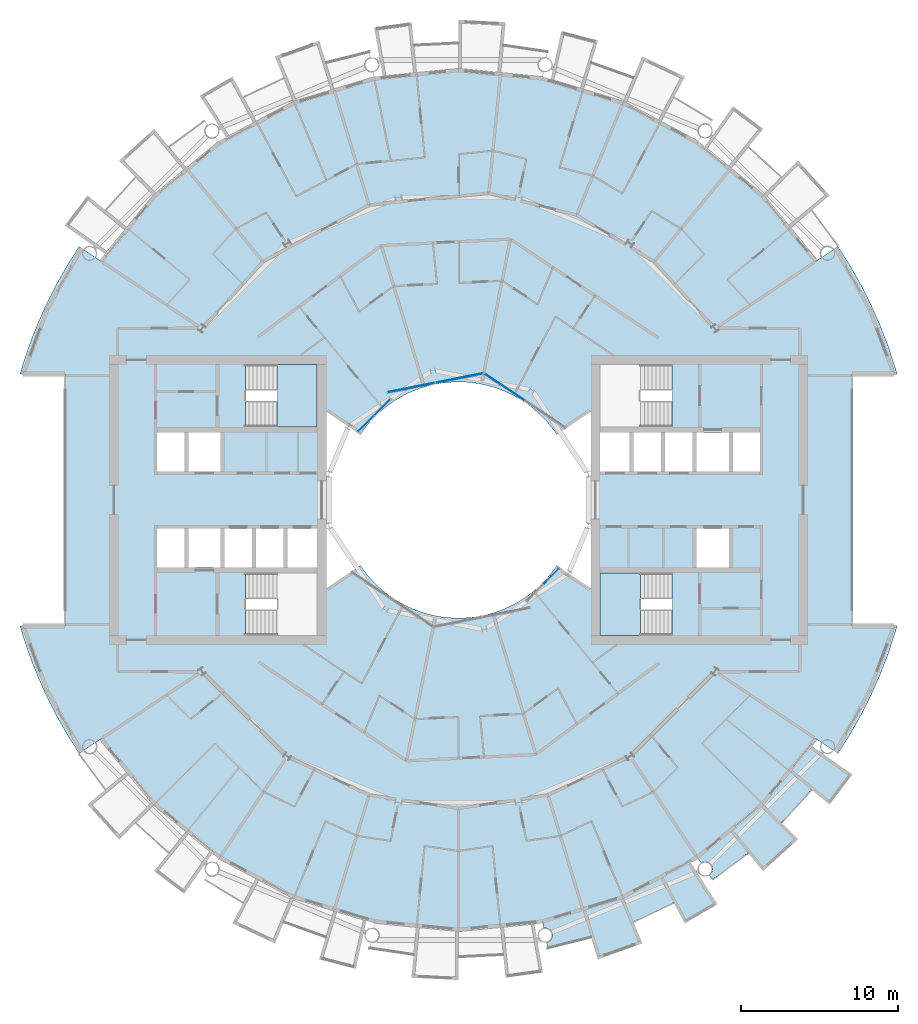
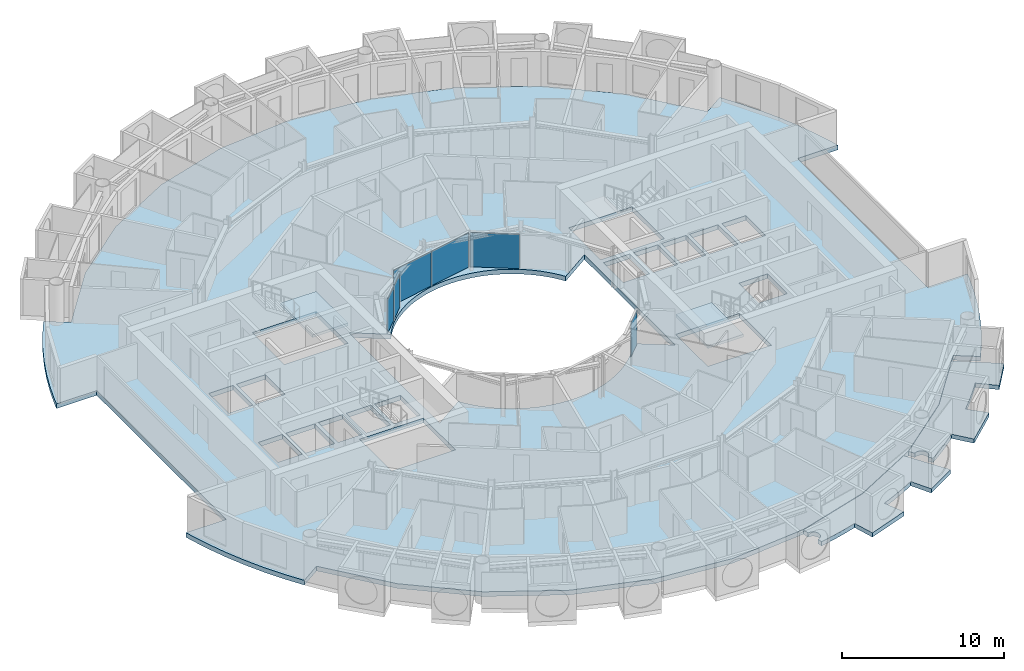
# One storey, part 11 of 26: 6 plates, 5 slabs, 6 elements without a shape of their own.
"""IFC4 building model written with IfcOpenShell, lengths in metres."""

import ifcopenshell
import ifcopenshell.guid

model = None  # the IFC model being written
_history = None  # IfcOwnerHistory: only IFC2X3 demands one
_inside = {}  # id of a spatial element -> (the spatial element, [elements in it])
_under = {}  # id of a project, library or spatial element -> (it, [spatial elements below it])
_declared = {}  # id of a project -> (the project, [libraries it declares])
_typed = {}  # id of a type object -> (the type object, [elements of that type])
_made_of = {}  # id of a material, layer set ... -> (it, [elements and type objects made of it])


def new_model(schema):
    """Start an empty IFC model of exactly this schema.

    Asked for "IFC4X3", IfcOpenShell would pick the latest addendum, in which some entities
    have other attributes; the version numbers below select the first issue.
    IFC2X3 requires an IfcOwnerHistory on every rooted entity: one is made here for all.
    """
    global model, _history
    if schema == "IFC4X3":
        model = ifcopenshell.file(schema_version=(4, 3, 0, 0))
    else:
        model = ifcopenshell.file(schema=schema)
    _inside.clear()
    _under.clear()
    _declared.clear()
    _typed.clear()
    _made_of.clear()
    _history = None
    if model.schema == "IFC2X3":
        org = make("IfcOrganization", Name="unknown")
        user = make(
            "IfcPersonAndOrganization",
            ThePerson=make("IfcPerson", FamilyName="unknown"),
            TheOrganization=org,
        )
        app = make(
            "IfcApplication",
            ApplicationDeveloper=org,
            Version="unknown",
            ApplicationFullName="unknown",
            ApplicationIdentifier="unknown",
        )
        _history = make(
            "IfcOwnerHistory",
            OwningUser=user,
            OwningApplication=app,
            ChangeAction="ADDED",
            CreationDate=0,
        )
    return model


def make(cls, **values):
    """One entity of the class cls with the attributes given. An attribute that is None is left unset."""
    return model.create_entity(
        cls, **{name: value for name, value in values.items() if value is not None}
    )


def rooted(cls, **values):
    """An entity with a GlobalId (a new one), such as an element, a storey or a relation."""
    return make(cls, GlobalId=ifcopenshell.guid.new(), OwnerHistory=_history, **values)


def si_unit(unit_type, name, prefix=None):
    """IfcSIUnit, for example si_unit("LENGTHUNIT", "METRE", prefix="MILLI")."""
    return make("IfcSIUnit", UnitType=unit_type, Prefix=prefix, Name=name)


def assignment(units):
    """IfcUnitAssignment: the units of a project."""
    return None if units is None else make("IfcUnitAssignment", Units=units)


def point(xyz):
    """IfcCartesianPoint."""
    return None if xyz is None else make("IfcCartesianPoint", Coordinates=xyz)


def direction(xyz):
    """IfcDirection."""
    return None if xyz is None else make("IfcDirection", DirectionRatios=xyz)


def frame(location, z_axis=None, x_axis=None):
    """IfcAxis2Placement3D, a coordinate frame: its origin and axes. An axis left out is left unset."""
    return make(
        "IfcAxis2Placement3D",
        Location=point(location),
        Axis=direction(z_axis),
        RefDirection=direction(x_axis),
    )


def frame_2d(location, x_axis=None):
    """IfcAxis2Placement2D, a coordinate frame in the plane: its origin and x axis."""
    return make(
        "IfcAxis2Placement2D", Location=point(location), RefDirection=direction(x_axis)
    )


def origin():
    """The frame at (0, 0, 0) with its axes left unset."""
    return frame((0.0, 0.0, 0.0))


def origin_2d():
    """The frame at (0, 0) in the plane with its x axis left unset."""
    return frame_2d((0.0, 0.0))


def place(relative_to, where):
    """IfcLocalPlacement: puts the frame where relative to a parent placement (None: the world)."""
    return make(
        "IfcLocalPlacement", PlacementRelTo=relative_to, RelativePlacement=where
    )


def context(
    kind, dimensions, precision=None, world=None, true_north=None, identifier=None
):
    """IfcGeometricRepresentationContext, for example the 3D "Model" context."""
    return make(
        "IfcGeometricRepresentationContext",
        ContextIdentifier=identifier,
        ContextType=kind,
        CoordinateSpaceDimension=dimensions,
        Precision=precision,
        WorldCoordinateSystem=world,
        TrueNorth=true_north,
    )


def subcontext(parent, identifier, kind, view, scale=None):
    """IfcGeometricRepresentationSubContext, for example "Body" below "Model"."""
    return make(
        "IfcGeometricRepresentationSubContext",
        ContextIdentifier=identifier,
        ContextType=kind,
        ParentContext=parent,
        TargetScale=scale,
        TargetView=view,
    )


def project(units=None, contexts=None):
    """IfcProject with its units and contexts."""
    return rooted(
        "IfcProject",
        Name="project",
        RepresentationContexts=contexts,
        UnitsInContext=assignment(units),
    )


def spatial(cls, under=None, at=None, **own):
    """A site, building, storey or space (cls), placed at a placement, below another one or the project."""
    s = rooted(cls, ObjectPlacement=at, **own)
    if under is not None:
        _under.setdefault(under.id(), (under, []))[1].append(s)
    return s


def polyline(points):
    """IfcPolyline through the points."""
    return make("IfcPolyline", Points=[point(p) for p in points])


def profile(cls, at=None, kind="AREA", **sizes):
    """A parametric profile (cls). Its sizes go by their IFC names, for example OverallWidth=200.0."""
    return make(cls, ProfileType=kind, Position=at, **sizes)


def rectangle(**sizes):
    """IfcRectangleProfileDef."""
    return profile("IfcRectangleProfileDef", **sizes)


def outline(outer, holes=None, kind="AREA"):
    """IfcArbitraryClosedProfileDef: a profile drawn as a closed curve; with holes, ...WithVoids."""
    if holes is None:
        return make("IfcArbitraryClosedProfileDef", ProfileType=kind, OuterCurve=outer)
    return make(
        "IfcArbitraryProfileDefWithVoids",
        ProfileType=kind,
        OuterCurve=outer,
        InnerCurves=holes,
    )


def extrude(swept, where, along, depth):
    """IfcExtrudedAreaSolid: the profile swept, set in the frame where, extruded along a direction by depth."""
    return make(
        "IfcExtrudedAreaSolid",
        SweptArea=swept,
        Position=where,
        ExtrudedDirection=direction(along),
        Depth=depth,
    )


def shape(context_of_items, identifier, shape_type, items):
    """IfcShapeRepresentation: the items that make up one representation, for example the "Body"."""
    return make(
        "IfcShapeRepresentation",
        ContextOfItems=context_of_items,
        RepresentationIdentifier=identifier,
        RepresentationType=shape_type,
        Items=items,
    )


def material(Name=None, Category=None):
    """IfcMaterial."""
    return make("IfcMaterial", Name=Name, Category=Category)


def layer(
    of_material, thickness, ventilated=None, Name=None, Category=None, Priority=None
):
    """IfcMaterialLayer: one layer of a wall or slab, of a material (None: an air gap)."""
    return make(
        "IfcMaterialLayer",
        Material=of_material,
        LayerThickness=thickness,
        IsVentilated=ventilated,
        Name=Name,
        Category=Category,
        Priority=Priority,
    )


def layer_set(layers, Name=None):
    """IfcMaterialLayerSet."""
    return make("IfcMaterialLayerSet", MaterialLayers=layers, LayerSetName=Name)


def made_of(thing, what):
    """Note that an element or type object is made of a material, layer set ...; save() writes the relation."""
    if what is not None:
        _made_of.setdefault(what.id(), (what, []))[1].append(thing)
    return thing


def type_object(cls, material=None, **own):
    """A type object (cls), such as IfcWallType, which elements share."""
    return made_of(rooted(cls, **own), material)


def element(
    cls,
    number,
    at=None,
    inside=None,
    cuts=None,
    type_object=None,
    material=None,
    context=None,
    identifier="Body",
    shape_type=None,
    held_by="IfcProductDefinitionShape",
    body=None,
    shapes=None,
    **own,
):
    """One element of the class cls, such as IfcWall. Its Tag is "e" and its number.

    at: its placement. inside: the storey or other place that contains it. cuts: it is an
    opening in that element (IfcRelVoidsElement). A single representation is given by context,
    identifier, shape_type and body (its items); several are given by shapes. held_by: the class
    of the entity that holds the representations. save() writes the other relations.
    """
    e = rooted(cls, Tag="e%d" % number, ObjectPlacement=at, **own)
    if body is not None:
        shapes = [shape(context, identifier, shape_type, body)]
    if shapes is not None:
        e.Representation = make(held_by, Representations=shapes)
    if inside is not None:
        _inside.setdefault(inside.id(), (inside, []))[1].append(e)
    if cuts is not None:
        rooted(
            "IfcRelVoidsElement", RelatingBuildingElement=cuts, RelatedOpeningElement=e
        )
    if type_object is not None:
        _typed.setdefault(type_object.id(), (type_object, []))[1].append(e)
    return made_of(e, material)


def aggregate(whole, parts):
    """IfcRelAggregates: a whole, such as a stair, and the parts it consists of."""
    return rooted("IfcRelAggregates", RelatingObject=whole, RelatedObjects=parts)


def save(model, path):
    """Write the relations noted so far, then the file.

    IfcRelAggregates (storeys below a building ...), IfcRelContainedInSpatialStructure (elements
    in a storey), IfcRelDefinesByType, IfcRelAssociatesMaterial and IfcRelDeclares: one each for
    every whole, place, type object, material and project.
    """
    for whole, parts in _under.values():
        aggregate(whole, parts)
    for where, things in _inside.values():
        rooted(
            "IfcRelContainedInSpatialStructure",
            RelatedElements=things,
            RelatingStructure=where,
        )
    for kind, things in _typed.values():
        rooted("IfcRelDefinesByType", RelatedObjects=things, RelatingType=kind)
    for what, things in _made_of.values():
        rooted("IfcRelAssociatesMaterial", RelatedObjects=things, RelatingMaterial=what)
    for by, libraries in _declared.values():
        rooted("IfcRelDeclares", RelatingContext=by, RelatedDefinitions=libraries)
    model.write(path)


model = new_model("IFC4")

# Units and contexts
model_context = context("Model", 3, precision=1e-05, world=origin(), true_north=direction((0.0, 1.0)))
body_context = subcontext(model_context, "Body", "Model", "MODEL_VIEW")
ifc_project = project(units=[si_unit("LENGTHUNIT", "METRE"), si_unit("AREAUNIT", "SQUARE_METRE"), si_unit("VOLUMEUNIT", "CUBIC_METRE"), si_unit("PLANEANGLEUNIT", "RADIAN"), si_unit("MASSUNIT", "GRAM", prefix="KILO")], contexts=[model_context])

# Site, building, storey
site_placement = place(None, origin())
site = spatial("IfcSite", under=ifc_project, at=site_placement, CompositionType="ELEMENT")
building_placement = place(site_placement, origin())
building = spatial("IfcBuilding", under=site, at=building_placement, Name="Maasbend Ring Residences", CompositionType="ELEMENT")
storey_placement = place(building_placement, frame((0.0, 0.0, 123.85009765625)))
storey = spatial("IfcBuildingStorey", under=building, at=storey_placement, Name="L35", CompositionType="ELEMENT", Elevation=123.85009765625)

# Stair, slab
ifc_material_1 = material(Name="Concrete C40/50", Category="concrete")
stair_type = type_object("IfcStairType", Name="CORE STAIR 18 RISERS", PredefinedType="HALF_TURN_STAIR", material=ifc_material_1)
stair_1_placement = place(storey_placement, origin())
stair_1 = element("IfcStair", 1, at=stair_1_placement, inside=storey, type_object=stair_type, Name="L35 Exit stair ST-E2", PredefinedType="HALF_TURN_STAIR")
ifc_material_2 = material(Name="Concrete C40/50", Category="concrete")
ifc_layer_1 = layer(ifc_material_2, 0.199951171875)
ifc_layer_set_1 = layer_set([ifc_layer_1], Name="Concrete C40/50")
slab_type_1 = type_object("IfcSlabType", Name="CORE STAIR LANDING 200", PredefinedType="LANDING", material=ifc_layer_set_1)
slab_1_placement = place(storey_placement, frame((0.0, 0.0, 1.324951171875)))
slab_1 = element("IfcSlab", 2, at=slab_1_placement, type_object=slab_type_1, Name="ST-E2 landing 1", PredefinedType="LANDING", context=body_context, shape_type="SweptSolid", body=[
    extrude(outline(polyline([(11.550048828125, -4.64990234375), (9.0, -4.64990234375), (9.0, -8.60009765625), (11.550048828125, -8.60009765625), (11.550048828125, -4.64990234375)])), origin(), (0.0, 0.0, 1.0), 0.199951171875),
])
aggregate(stair_1, [slab_1])

stair_2_placement = place(storey_placement, origin())
stair_2 = element("IfcStair", 3, at=stair_2_placement, inside=storey, type_object=stair_type, Name="L35 Exit stair ST-W2", PredefinedType="HALF_TURN_STAIR")
slab_2_placement = place(storey_placement, frame((0.0, 0.0, 1.324951171875)))
slab_2 = element("IfcSlab", 4, at=slab_2_placement, type_object=slab_type_1, Name="ST-W2 landing 1", PredefinedType="LANDING", context=body_context, shape_type="SweptSolid", body=[
    extrude(outline(polyline([(-11.550048828125, 4.64990234375), (-9.0, 4.64990234375), (-9.0, 8.60009765625), (-11.550048828125, 8.60009765625), (-11.550048828125, 4.64990234375)])), origin(), (0.0, 0.0, 1.0), 0.199951171875),
])
aggregate(stair_2, [slab_2])

# Curtain wall, plate
ifc_material_3 = material(Name="Aluminium and clear glass", Category="aluminium")
ifc_layer_2 = layer(ifc_material_3, 0.179931640625)
ifc_layer_set_2 = layer_set([ifc_layer_2], Name="CW-W")
curtain_wall_type = type_object("IfcCurtainWallType", Name="CW-W", PredefinedType="NOTDEFINED", material=ifc_layer_set_2)
curtain_wall_1_placement = place(storey_placement, origin())
curtain_wall_1 = element("IfcCurtainWall", 5, at=curtain_wall_1_placement, inside=storey, type_object=curtain_wall_type, Name="Well curtain wall N1", PredefinedType="NOTDEFINED")
ifc_material_4 = material(Name="Glass clear laminated", Category="glass")
ifc_layer_3 = layer(ifc_material_4, 0.031982421875)
ifc_layer_set_3 = layer_set([ifc_layer_3], Name="CWP-W")
plate_type = type_object("IfcPlateType", Name="CWP-W", PredefinedType="CURTAIN_PANEL", material=ifc_layer_set_3)
plate_1_placement = place(storey_placement, frame((2.922119140625, 7.17578125, -0.000244140625), z_axis=(0.0, 0.0, 1.0), x_axis=(-0.831469612303, 0.55557023302, 0.0)))
plate_1 = element("IfcPlate", 6, at=plate_1_placement, type_object=plate_type, Name="Glass panel well face", PredefinedType="CURTAIN_PANEL", context=body_context, shape_type="SweptSolid", body=[
    extrude(rectangle(XDim=3.053955078125, YDim=0.031982421875, at=origin_2d()), origin(), (0.0, 0.0, 1.0), 2.580078125),
])
aggregate(curtain_wall_1, [plate_1])

# Curtain wall, plates
curtain_wall_2_placement = place(storey_placement, origin())
curtain_wall_2 = element("IfcCurtainWall", 7, at=curtain_wall_2_placement, inside=storey, type_object=curtain_wall_type, Name="Well curtain wall N2", PredefinedType="NOTDEFINED")
plate_2_placement = place(storey_placement, frame((0.04638671875, 7.747802734375, -0.000244140625), z_axis=(0.0, 0.0, 1.0), x_axis=(-0.980785280403, -0.195090322016, 0.0)))
plate_2 = element("IfcPlate", 8, at=plate_2_placement, type_object=plate_type, Name="Glass panel well face", PredefinedType="CURTAIN_PANEL", context=body_context, shape_type="SweptSolid", body=[
    extrude(rectangle(XDim=3.053955078125, YDim=0.031982421875, at=origin_2d()), origin(), (0.0, 0.0, 1.0), 2.580078125),
])
plate_3_placement = place(storey_placement, frame((-3.0078125, 7.140380859375, -0.000244140625), z_axis=(0.0, 0.0, 1.0), x_axis=(-0.980785280403, -0.195090322016, 0.0)))
plate_3 = element("IfcPlate", 9, at=plate_3_placement, type_object=plate_type, Name="Glass panel well face", PredefinedType="CURTAIN_PANEL", context=body_context, shape_type="SweptSolid", body=[
    extrude(rectangle(XDim=3.053955078125, YDim=0.031982421875, at=origin_2d()), origin(), (0.0, 0.0, 1.0), 2.580078125),
])
aggregate(curtain_wall_2, [plate_2, plate_3])

curtain_wall_3_placement = place(storey_placement, origin())
curtain_wall_3 = element("IfcCurtainWall", 10, at=curtain_wall_3_placement, inside=storey, type_object=curtain_wall_type, Name="Well curtain wall N3", PredefinedType="NOTDEFINED")
plate_4_placement = place(storey_placement, frame((-4.84375, 5.89013671875, -0.000244140625), z_axis=(0.0, 0.0, 1.0), x_axis=(-0.707106781187, -0.707106781187, 0.0)))
plate_4 = element("IfcPlate", 11, at=plate_4_placement, type_object=plate_type, Name="Glass panel well face", PredefinedType="CURTAIN_PANEL", context=body_context, shape_type="SweptSolid", body=[
    extrude(rectangle(XDim=1.419677734375, YDim=0.031982421875, at=origin_2d()), origin(), (0.0, 0.0, 1.0), 2.580078125),
])
plate_5_placement = place(storey_placement, frame((-5.89013671875, 4.84375, -0.000244140625), z_axis=(0.0, 0.0, 1.0), x_axis=(-0.707106781187, -0.707106781187, 0.0)))
plate_5 = element("IfcPlate", 12, at=plate_5_placement, type_object=plate_type, Name="Glass panel well face", PredefinedType="CURTAIN_PANEL", context=body_context, shape_type="SweptSolid", body=[
    extrude(rectangle(XDim=1.419677734375, YDim=0.031982421875, at=origin_2d()), origin(), (0.0, 0.0, 1.0), 2.580078125),
])
aggregate(curtain_wall_3, [plate_4, plate_5])

# Curtain wall, plate
curtain_wall_4_placement = place(storey_placement, origin())
curtain_wall_4 = element("IfcCurtainWall", 13, at=curtain_wall_4_placement, inside=storey, type_object=curtain_wall_type, Name="Well curtain wall S3", PredefinedType="NOTDEFINED")
plate_6_placement = place(storey_placement, frame((5.89013671875, -4.84375, -0.000244140625), z_axis=(0.0, 0.0, 1.0), x_axis=(0.707106781187, 0.707106781187, 0.0)))
plate_6 = element("IfcPlate", 14, at=plate_6_placement, type_object=plate_type, Name="Glass panel well face", PredefinedType="CURTAIN_PANEL", context=body_context, shape_type="SweptSolid", body=[
    extrude(rectangle(XDim=1.419677734375, YDim=0.031982421875, at=origin_2d()), origin(), (0.0, 0.0, 1.0), 2.580078125),
])
aggregate(curtain_wall_4, [plate_6])

# Slabs
ifc_material_5 = material(Name="Concrete C40/50", Category="concrete")
ifc_layer_4 = layer(ifc_material_5, 0.35009765625)
ifc_layer_set_4 = layer_set([ifc_layer_4], Name="Concrete C40/50")
slab_type_2 = type_object("IfcSlabType", Name="Post-tensioned flat plate 350", PredefinedType="FLOOR", material=ifc_layer_set_4)
slab_3_placement = place(storey_placement, frame((0.0, 0.0, -0.35009765625)))
element("IfcSlab", 15, at=slab_3_placement, inside=storey, type_object=slab_type_2, Name="Floor slab L35", PredefinedType="FLOOR", context=body_context, shape_type="SweptSolid", body=[
    extrude(outline(polyline([(24.8740234375, -14.908935546875), (25.57568359375, -13.67041015625), (26.2158203125, -12.399169921875), (26.79248046875, -11.097900390625), (27.3046875, -9.769775390625), (27.751220703125, -8.418212890625), (27.866943359375, -8.0), (25.0, -8.0), (25.0, 8.0), (27.866943359375, 8.0), (27.751220703125, 8.418212890625), (27.3046875, 9.769775390625), (26.79248046875, 11.097900390625), (26.2158203125, 12.399169921875), (25.57568359375, 13.67041015625), (24.8740234375, 14.908935546875), (24.112548828125, 16.111572265625), (22.69921875, 15.1669921875), (19.303955078125, 19.303955078125), (15.1669921875, 22.69921875), (10.447265625, 25.221923828125), (5.325927734375, 26.775390625), (0.0, 27.300048828125), (-5.325927734375, 26.775390625), (-10.447265625, 25.221923828125), (-15.1669921875, 22.69921875), (-19.303955078125, 19.303955078125), (-22.69921875, 15.1669921875), (-24.112548828125, 16.111572265625), (-24.8740234375, 14.908935546875), (-25.57568359375, 13.67041015625), (-26.2158203125, 12.399169921875), (-26.79248046875, 11.097900390625), (-27.3046875, 9.769775390625), (-27.751220703125, 8.418212890625), (-27.866943359375, 8.0), (-25.0, 8.0), (-25.0, -8.0), (-27.866943359375, -8.0), (-27.751220703125, -8.418212890625), (-27.3046875, -9.769775390625), (-26.79248046875, -11.097900390625), (-26.2158203125, -12.399169921875), (-25.57568359375, -13.67041015625), (-24.8740234375, -14.908935546875), (-24.112548828125, -16.111572265625), (-22.69921875, -15.1669921875), (-19.303955078125, -19.303955078125), (-15.1669921875, -22.69921875), (-10.447265625, -25.221923828125), (-5.325927734375, -26.775390625), (0.0, -27.300048828125), (5.325927734375, -26.775390625), (10.447265625, -25.221923828125), (15.1669921875, -22.69921875), (19.303955078125, -19.303955078125), (22.69921875, -15.1669921875), (24.112548828125, -16.111572265625), (24.8740234375, -14.908935546875)]), holes=[polyline([(17.425048828125, 4.27490234375), (19.14990234375, 4.27490234375), (19.14990234375, 1.824951171875), (17.425048828125, 1.824951171875), (17.425048828125, 4.27490234375)]), polyline([(15.125, 1.824951171875), (15.125, 4.27490234375), (17.175048828125, 4.27490234375), (17.175048828125, 1.824951171875), (15.125, 1.824951171875)]), polyline([(15.125, -4.27490234375), (15.125, -1.824951171875), (17.175048828125, -1.824951171875), (17.175048828125, -4.27490234375), (15.125, -4.27490234375)]), polyline([(13.125, 1.824951171875), (13.125, 4.27490234375), (14.875, 4.27490234375), (14.875, 1.824951171875), (13.125, 1.824951171875)]), polyline([(13.550048828125, 4.64990234375), (9.0, 4.64990234375), (9.0, 8.60009765625), (13.550048828125, 8.60009765625), (13.550048828125, 4.64990234375)]), polyline([(13.550048828125, -4.64990234375), (13.550048828125, -8.60009765625), (9.0, -8.60009765625), (9.0, -4.64990234375), (13.550048828125, -4.64990234375)]), polyline([(11.125, 1.824951171875), (11.125, 4.27490234375), (12.875, 4.27490234375), (12.875, 1.824951171875), (11.125, 1.824951171875)]), polyline([(9.0, 1.824951171875), (9.0, 4.27490234375), (10.875, 4.27490234375), (10.875, 1.824951171875), (9.0, 1.824951171875)]), polyline([(6.024169921875, 4.4677734375), (6.236083984375, 4.166748046875), (8.39990234375, 5.61279296875), (8.39990234375, -5.61279296875), (6.236083984375, -4.166748046875), (6.024169921875, -4.4677734375), (5.797607421875, -4.7578125), (5.55712890625, -5.03662109375), (5.30322265625, -5.30322265625), (5.03662109375, -5.55712890625), (4.7578125, -5.797607421875), (4.4677734375, -6.024169921875), (4.166748046875, -6.236083984375), (3.855712890625, -6.43310546875), (3.535400390625, -6.614501953125), (3.206787109375, -6.77978515625), (2.8701171875, -6.92919921875), (2.526611328125, -7.0615234375), (2.177001953125, -7.177001953125), (1.822509765625, -7.275146484375), (1.463134765625, -7.35595703125), (1.1005859375, -7.418701171875), (0.735107421875, -7.4638671875), (0.367919921875, -7.490966796875), (0.0, -7.5), (-0.367919921875, -7.490966796875), (-0.735107421875, -7.4638671875), (-1.1005859375, -7.418701171875), (-1.463134765625, -7.35595703125), (-1.822509765625, -7.275146484375), (-2.177001953125, -7.177001953125), (-2.526611328125, -7.0615234375), (-2.8701171875, -6.92919921875), (-3.206787109375, -6.77978515625), (-3.535400390625, -6.614501953125), (-3.855712890625, -6.43310546875), (-4.166748046875, -6.236083984375), (-4.4677734375, -6.024169921875), (-4.7578125, -5.797607421875), (-5.03662109375, -5.55712890625), (-5.30322265625, -5.30322265625), (-5.55712890625, -5.03662109375), (-5.797607421875, -4.7578125), (-6.024169921875, -4.4677734375), (-6.236083984375, -4.166748046875), (-8.39990234375, -5.61279296875), (-8.39990234375, 5.61279296875), (-6.236083984375, 4.166748046875), (-6.236083984375, 4.166748046875), (-6.024169921875, 4.4677734375), (-5.797607421875, 4.7578125), (-5.55712890625, 5.03662109375), (-5.30322265625, 5.30322265625), (-5.03662109375, 5.55712890625), (-4.7578125, 5.797607421875), (-4.4677734375, 6.024169921875), (-4.166748046875, 6.236083984375), (-3.855712890625, 6.43310546875), (-3.535400390625, 6.614501953125), (-3.206787109375, 6.77978515625), (-2.8701171875, 6.92919921875), (-2.526611328125, 7.0615234375), (-2.177001953125, 7.177001953125), (-1.822509765625, 7.275146484375), (-1.463134765625, 7.35595703125), (-1.1005859375, 7.418701171875), (-0.735107421875, 7.4638671875), (-0.367919921875, 7.490966796875), (0.0, 7.5), (0.367919921875, 7.490966796875), (0.735107421875, 7.4638671875), (1.1005859375, 7.418701171875), (1.463134765625, 7.35595703125), (1.822509765625, 7.275146484375), (2.177001953125, 7.177001953125), (2.526611328125, 7.0615234375), (2.8701171875, 6.92919921875), (3.206787109375, 6.77978515625), (3.535400390625, 6.614501953125), (3.855712890625, 6.43310546875), (4.166748046875, 6.236083984375), (4.4677734375, 6.024169921875), (4.7578125, 5.797607421875), (5.03662109375, 5.55712890625), (5.30322265625, 5.30322265625), (5.55712890625, 5.03662109375), (5.797607421875, 4.7578125), (6.024169921875, 4.4677734375)]), polyline([(-13.550048828125, 4.64990234375), (-13.550048828125, 8.60009765625), (-9.0, 8.60009765625), (-9.0, 4.64990234375), (-13.550048828125, 4.64990234375)]), polyline([(-13.550048828125, -8.60009765625), (-13.550048828125, -4.64990234375), (-9.0, -4.64990234375), (-9.0, -8.60009765625), (-13.550048828125, -8.60009765625)]), polyline([(-9.0, -1.824951171875), (-9.0, -4.27490234375), (-10.875, -4.27490234375), (-10.875, -1.824951171875), (-9.0, -1.824951171875)]), polyline([(-11.125, -1.824951171875), (-11.125, -4.27490234375), (-12.875, -4.27490234375), (-12.875, -1.824951171875), (-11.125, -1.824951171875)]), polyline([(-13.125, -1.824951171875), (-13.125, -4.27490234375), (-14.875, -4.27490234375), (-14.875, -1.824951171875), (-13.125, -1.824951171875)]), polyline([(-15.125, 4.27490234375), (-15.125, 1.824951171875), (-17.175048828125, 1.824951171875), (-17.175048828125, 4.27490234375), (-15.125, 4.27490234375)]), polyline([(-15.125, -1.824951171875), (-15.125, -4.27490234375), (-17.175048828125, -4.27490234375), (-17.175048828125, -1.824951171875), (-15.125, -1.824951171875)]), polyline([(-17.425048828125, -1.824951171875), (-17.425048828125, -4.27490234375), (-19.14990234375, -4.27490234375), (-19.14990234375, -1.824951171875), (-17.425048828125, -1.824951171875)]), polyline([(-17.425048828125, 4.27490234375), (-17.425048828125, 1.824951171875), (-19.14990234375, 1.824951171875), (-19.14990234375, 4.27490234375), (-17.425048828125, 4.27490234375)])]), origin(), (0.0, 0.0, 1.0), 0.35009765625),
])
ifc_material_6 = material(Name="Concrete C40/50", Category="concrete")
ifc_layer_5 = layer(ifc_material_6, 0.199951171875)
ifc_layer_set_5 = layer_set([ifc_layer_5], Name="Concrete C40/50")
slab_type_3 = type_object("IfcSlabType", Name="SL-LOGGIA", PredefinedType="FLOOR", material=ifc_layer_set_5)
slab_4_placement = place(storey_placement, frame((0.0, 0.0, -0.35009765625)))
element("IfcSlab", 16, at=slab_4_placement, inside=storey, type_object=slab_type_3, Name="Loggia floor 2", PredefinedType="FLOOR", context=body_context, shape_type="SweptSolid", body=[
    extrude(outline(polyline([(10.447021484375, -25.221923828125), (12.806884765625, -23.9609375), (14.68994140625, -22.9541015625), (14.68994140625, -22.9541015625), (14.68994140625, -22.9541015625), (16.44091796875, -25.68994140625), (16.44091796875, -25.68994140625), (16.44091796875, -25.68994140625), (14.3779296875, -26.89892578125), (14.3779296875, -26.89892578125), (14.3779296875, -26.89892578125), (13.6708984375, -25.575927734375), (13.6708984375, -25.575927734375), (13.6708984375, -25.575927734375), (13.6708984375, -25.575927734375), (13.6708984375, -25.575927734375), (13.6708984375, -25.575927734375), (13.6708984375, -25.575927734375), (13.669921875, -25.575927734375), (13.669921875, -25.575927734375), (13.669921875, -25.575927734375), (13.669921875, -25.575927734375), (13.669921875, -25.575927734375), (13.669921875, -25.575927734375), (13.669921875, -25.575927734375), (13.669921875, -25.575927734375), (13.669921875, -25.575927734375), (13.669921875, -25.575927734375), (12.825927734375, -26.009033203125), (12.825927734375, -26.009033203125), (11.968994140625, -26.4150390625), (11.968994140625, -26.4150390625), (11.097900390625, -26.7919921875), (11.097900390625, -26.7919921875), (11.097900390625, -26.7919921875), (11.097900390625, -26.7919921875), (11.097900390625, -26.7919921875), (11.097900390625, -26.7919921875), (11.097900390625, -26.7919921875), (11.097900390625, -26.79296875), (11.097900390625, -26.79296875), (11.097900390625, -26.79296875), (11.097900390625, -26.79296875), (11.097900390625, -26.79296875), (11.097900390625, -26.79296875), (11.097900390625, -26.79296875), (11.097900390625, -26.79296875), (11.097900390625, -26.79296875), (11.097900390625, -26.79296875), (11.672119140625, -28.177978515625), (11.672119140625, -28.177978515625), (11.672119140625, -28.177978515625), (8.85400390625, -29.18701171875), (8.85400390625, -29.18701171875), (8.85400390625, -29.18701171875), (8.41796875, -27.751953125), (8.41796875, -27.751953125), (8.41796875, -27.751953125), (8.41796875, -27.751953125), (8.41796875, -27.751953125), (8.41796875, -27.751953125), (8.41796875, -27.751953125), (8.41796875, -27.7509765625), (8.41796875, -27.7509765625), (8.41796875, -27.7509765625), (8.41796875, -27.7509765625), (8.41796875, -27.7509765625), (8.41796875, -27.7509765625), (8.41796875, -27.7509765625), (8.41796875, -27.7509765625), (8.41796875, -27.7509765625), (8.41796875, -27.7509765625), (7.506103515625, -28.011962890625), (7.506103515625, -28.011962890625), (6.5849609375, -28.241943359375), (6.5849609375, -28.241943359375), (5.657958984375, -28.443115234375), (5.657958984375, -28.443115234375), (5.657958984375, -28.443115234375), (5.591064453125, -28.10595703125), (5.60205078125, -28.10400390625), (5.613037109375, -28.10107421875), (5.623046875, -28.09912109375), (5.634033203125, -28.094970703125), (5.64501953125, -28.092041015625), (5.655029296875, -28.087890625), (5.666015625, -28.083984375), (5.676025390625, -28.080078125), (5.68701171875, -28.075927734375), (5.697021484375, -28.071044921875), (5.70703125, -28.06591796875), (5.717041015625, -28.06103515625), (5.72705078125, -28.055908203125), (5.736083984375, -28.050048828125), (5.74609375, -28.0439453125), (5.7548828125, -28.0380859375), (5.764892578125, -28.031982421875), (5.77392578125, -28.02490234375), (5.782958984375, -28.01806640625), (5.791015625, -28.010986328125), (5.800048828125, -28.00390625), (5.80810546875, -27.9970703125), (5.81689453125, -27.989013671875), (5.824951171875, -27.98095703125), (5.83203125, -27.972900390625), (5.840087890625, -27.965087890625), (5.847900390625, -27.95703125), (5.85498046875, -27.947998046875), (5.862060546875, -27.93896484375), (5.868896484375, -27.929931640625), (5.875, -27.9208984375), (5.881103515625, -27.912109375), (5.887939453125, -27.903076171875), (5.89306640625, -27.89306640625), (5.89892578125, -27.883056640625), (5.905029296875, -27.8740234375), (5.909912109375, -27.864013671875), (5.9150390625, -27.85302734375), (5.9189453125, -27.843017578125), (5.924072265625, -27.8330078125), (5.927978515625, -27.822998046875), (5.931884765625, -27.81201171875), (5.93505859375, -27.801025390625), (5.93896484375, -27.791015625), (5.94189453125, -27.780029296875), (5.945068359375, -27.76904296875), (5.947021484375, -27.758056640625), (5.949951171875, -27.7470703125), (5.951904296875, -27.736083984375), (5.9541015625, -27.72509765625), (5.955078125, -27.714111328125), (5.9560546875, -27.702880859375), (5.95703125, -27.69189453125), (5.9580078125, -27.680908203125), (5.9580078125, -27.6689453125), (5.9580078125, -27.657958984375), (5.9580078125, -27.64697265625), (5.9580078125, -27.635986328125), (5.95703125, -27.6240234375), (5.9560546875, -27.613037109375), (5.955078125, -27.60205078125), (5.9541015625, -27.591064453125), (5.951904296875, -27.580078125), (5.949951171875, -27.569091796875), (5.947021484375, -27.55810546875), (5.945068359375, -27.547119140625), (5.94189453125, -27.535888671875), (5.93896484375, -27.52490234375), (5.93505859375, -27.514892578125), (5.931884765625, -27.50390625), (5.927978515625, -27.493896484375), (5.924072265625, -27.48291015625), (5.9189453125, -27.472900390625), (5.9150390625, -27.462890625), (5.909912109375, -27.452880859375), (5.905029296875, -27.443115234375), (5.89892578125, -27.43310546875), (5.89306640625, -27.423095703125), (5.887939453125, -27.4140625), (5.881103515625, -27.404052734375), (5.875, -27.39501953125), (5.868896484375, -27.385986328125), (5.862060546875, -27.376953125), (5.85498046875, -27.367919921875), (5.847900390625, -27.360107421875), (5.840087890625, -27.35107421875), (5.83203125, -27.343017578125), (5.824951171875, -27.3349609375), (5.81689453125, -27.326904296875), (5.80810546875, -27.319091796875), (5.800048828125, -27.31201171875), (5.791015625, -27.304931640625), (5.782958984375, -27.298095703125), (5.77392578125, -27.291015625), (5.764892578125, -27.283935546875), (5.7548828125, -27.278076171875), (5.74609375, -27.27197265625), (5.736083984375, -27.26611328125), (5.72705078125, -27.260009765625), (5.717041015625, -27.2548828125), (5.70703125, -27.25), (5.697021484375, -27.2451171875), (5.68701171875, -27.239990234375), (5.676025390625, -27.236083984375), (5.666015625, -27.23193359375), (5.655029296875, -27.22802734375), (5.64501953125, -27.22412109375), (5.634033203125, -27.220947265625), (5.623046875, -27.218017578125), (5.613037109375, -27.215087890625), (5.60205078125, -27.2119140625), (5.591064453125, -27.2099609375), (5.580078125, -27.2080078125), (5.569091796875, -27.2060546875), (5.556884765625, -27.205078125), (5.5458984375, -27.202880859375), (5.534912109375, -27.201904296875), (5.52392578125, -27.201904296875), (5.512939453125, -27.200927734375), (5.501953125, -27.200927734375), (5.489990234375, -27.200927734375), (5.47900390625, -27.201904296875), (5.468017578125, -27.201904296875), (5.45703125, -27.202880859375), (5.446044921875, -27.205078125), (5.43408203125, -27.2060546875), (5.423095703125, -27.2080078125), (5.412109375, -27.2099609375), (5.325927734375, -26.77490234375), (5.325927734375, -26.77490234375), (5.325927734375, -26.77490234375), (7.886962890625, -25.9990234375), (10.447021484375, -25.221923828125), (10.447021484375, -25.221923828125), (10.447021484375, -25.221923828125)])), origin(), (0.0, 0.0, 1.0), 0.320068359375),
])
slab_5_placement = place(storey_placement, frame((0.0, 0.0, -0.35009765625)))
element("IfcSlab", 17, at=slab_5_placement, inside=storey, type_object=slab_type_3, Name="Loggia floor 5", PredefinedType="FLOOR", context=body_context, shape_type="SweptSolid", body=[
    extrude(outline(polyline([(19.303955078125, -19.303955078125), (21.001953125, -17.236083984375), (22.35595703125, -15.5849609375), (22.35595703125, -15.5849609375), (22.35595703125, -15.5849609375), (25.02001953125, -17.44189453125), (25.02001953125, -17.44189453125), (25.02001953125, -17.44189453125), (23.576904296875, -19.34912109375), (23.576904296875, -19.34912109375), (23.576904296875, -19.34912109375), (22.41796875, -18.39794921875), (22.41796875, -18.39794921875), (22.41796875, -18.39794921875), (22.41796875, -18.39794921875), (22.41796875, -18.39794921875), (22.4169921875, -18.39794921875), (22.4169921875, -18.39794921875), (22.4169921875, -18.39794921875), (22.4169921875, -18.39794921875), (22.4169921875, -18.39794921875), (22.4169921875, -18.39794921875), (22.4169921875, -18.39794921875), (22.4169921875, -18.39794921875), (22.4169921875, -18.39794921875), (22.4169921875, -18.39794921875), (22.4169921875, -18.39794921875), (22.4169921875, -18.39794921875), (21.802978515625, -19.12109375), (21.802978515625, -19.12109375), (21.166015625, -19.823974609375), (21.166015625, -19.823974609375), (20.506103515625, -20.506103515625), (20.506103515625, -20.506103515625), (20.506103515625, -20.506103515625), (20.506103515625, -20.506103515625), (20.506103515625, -20.506103515625), (20.506103515625, -20.506103515625), (20.506103515625, -20.506103515625), (20.506103515625, -20.506103515625), (20.506103515625, -20.506103515625), (20.506103515625, -20.506103515625), (20.506103515625, -20.506103515625), (20.506103515625, -20.506103515625), (20.506103515625, -20.506103515625), (20.506103515625, -20.506103515625), (20.506103515625, -20.506103515625), (20.506103515625, -20.506103515625), (20.506103515625, -20.506103515625), (21.56689453125, -21.56689453125), (21.56689453125, -21.56689453125), (21.56689453125, -21.56689453125), (19.34912109375, -23.576904296875), (19.34912109375, -23.576904296875), (19.34912109375, -23.576904296875), (18.39794921875, -22.41796875), (18.39794921875, -22.41796875), (18.39794921875, -22.41796875), (18.39794921875, -22.41796875), (18.39794921875, -22.41796875), (18.39794921875, -22.41796875), (18.39697265625, -22.41796875), (18.39697265625, -22.41796875), (18.39697265625, -22.41796875), (18.39697265625, -22.41796875), (18.39697265625, -22.41796875), (18.39697265625, -22.41796875), (18.39697265625, -22.41796875), (18.39697265625, -22.41796875), (18.39697265625, -22.41796875), (18.39697265625, -22.41796875), (18.39697265625, -22.41796875), (17.654052734375, -23.007080078125), (17.654052734375, -23.007080078125), (16.89208984375, -23.572998046875), (16.89208984375, -23.572998046875), (16.112060546875, -24.113037109375), (16.112060546875, -24.113037109375), (16.112060546875, -24.113037109375), (15.9208984375, -23.826904296875), (15.9208984375, -23.826904296875), (15.929931640625, -23.821044921875), (15.93896484375, -23.81396484375), (15.947998046875, -23.80810546875), (15.95703125, -23.801025390625), (15.966064453125, -23.79296875), (15.97412109375, -23.785888671875), (15.98193359375, -23.778076171875), (15.989990234375, -23.77099609375), (15.998046875, -23.762939453125), (16.006103515625, -23.75390625), (16.012939453125, -23.74609375), (16.02001953125, -23.737060546875), (16.027099609375, -23.72900390625), (16.033935546875, -23.719970703125), (16.041015625, -23.7109375), (16.047119140625, -23.700927734375), (16.052978515625, -23.69189453125), (16.05908203125, -23.681884765625), (16.06494140625, -23.673095703125), (16.070068359375, -23.6630859375), (16.074951171875, -23.653076171875), (16.080078125, -23.64306640625), (16.0849609375, -23.633056640625), (16.089111328125, -23.6220703125), (16.093017578125, -23.612060546875), (16.096923828125, -23.60107421875), (16.10107421875, -23.591064453125), (16.10400390625, -23.580078125), (16.10791015625, -23.569091796875), (16.110107421875, -23.55810546875), (16.113037109375, -23.548095703125), (16.114990234375, -23.537109375), (16.116943359375, -23.52587890625), (16.118896484375, -23.513916015625), (16.12109375, -23.5029296875), (16.1220703125, -23.491943359375), (16.123046875, -23.48095703125), (16.1240234375, -23.469970703125), (16.1240234375, -23.458984375), (16.1240234375, -23.447021484375), (16.1240234375, -23.43603515625), (16.1240234375, -23.425048828125), (16.123046875, -23.4140625), (16.1220703125, -23.403076171875), (16.12109375, -23.39111328125), (16.118896484375, -23.3798828125), (16.116943359375, -23.368896484375), (16.114990234375, -23.35791015625), (16.113037109375, -23.346923828125), (16.110107421875, -23.3359375), (16.10791015625, -23.325927734375), (16.10400390625, -23.31494140625), (16.10107421875, -23.303955078125), (16.096923828125, -23.29296875), (16.093017578125, -23.282958984375), (16.089111328125, -23.27294921875), (16.0849609375, -23.261962890625), (16.080078125, -23.251953125), (16.074951171875, -23.241943359375), (16.070068359375, -23.23193359375), (16.06494140625, -23.221923828125), (16.05908203125, -23.2119140625), (16.052978515625, -23.202880859375), (16.047119140625, -23.194091796875), (16.041015625, -23.18408203125), (16.033935546875, -23.175048828125), (16.027099609375, -23.166015625), (16.02001953125, -23.156982421875), (16.012939453125, -23.14892578125), (16.006103515625, -23.139892578125), (15.998046875, -23.132080078125), (15.989990234375, -23.1240234375), (15.98193359375, -23.115966796875), (15.97412109375, -23.10888671875), (15.966064453125, -23.10107421875), (15.95703125, -23.093994140625), (15.947998046875, -23.0869140625), (15.93896484375, -23.080078125), (15.929931640625, -23.073974609375), (15.9208984375, -23.06689453125), (15.912109375, -23.06103515625), (15.902099609375, -23.054931640625), (15.89208984375, -23.050048828125), (15.883056640625, -23.0439453125), (15.873046875, -23.0390625), (15.862060546875, -23.033935546875), (15.85205078125, -23.030029296875), (15.842041015625, -23.02490234375), (15.83203125, -23.02099609375), (15.821044921875, -23.01708984375), (15.81005859375, -23.012939453125), (15.800048828125, -23.010009765625), (15.7890625, -23.007080078125), (15.778076171875, -23.00390625), (15.76708984375, -23.001953125), (15.756103515625, -22.9990234375), (15.7451171875, -22.9970703125), (15.73388671875, -22.9951171875), (15.722900390625, -22.993896484375), (15.7119140625, -22.992919921875), (15.700927734375, -22.991943359375), (15.68994140625, -22.990966796875), (15.677978515625, -22.990966796875), (15.6669921875, -22.989990234375), (15.656005859375, -22.990966796875), (15.64501953125, -22.990966796875), (15.633056640625, -22.991943359375), (15.6220703125, -22.992919921875), (15.611083984375, -22.993896484375), (15.60009765625, -22.9951171875), (15.589111328125, -22.9970703125), (15.577880859375, -22.9990234375), (15.56689453125, -23.001953125), (15.555908203125, -23.00390625), (15.544921875, -23.007080078125), (15.533935546875, -23.010009765625), (15.52392578125, -23.012939453125), (15.512939453125, -23.01708984375), (15.5029296875, -23.02099609375), (15.491943359375, -23.02490234375), (15.48193359375, -23.030029296875), (15.471923828125, -23.033935546875), (15.4619140625, -23.0390625), (15.451904296875, -23.0439453125), (15.44189453125, -23.050048828125), (15.431884765625, -23.054931640625), (15.423095703125, -23.06103515625), (15.4130859375, -23.06689453125), (15.4130859375, -23.06689453125), (15.1669921875, -22.698974609375), (15.1669921875, -22.698974609375), (15.1669921875, -22.698974609375), (17.236083984375, -21.001953125), (19.303955078125, -19.303955078125), (19.303955078125, -19.303955078125), (19.303955078125, -19.303955078125)])), origin(), (0.0, 0.0, 1.0), 0.320068359375),
])

save(model, "model.ifc")
